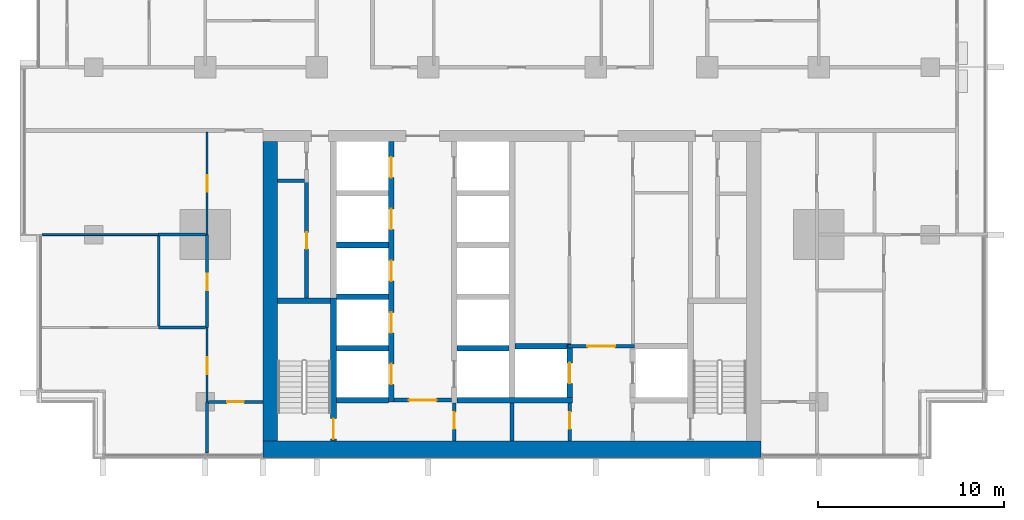
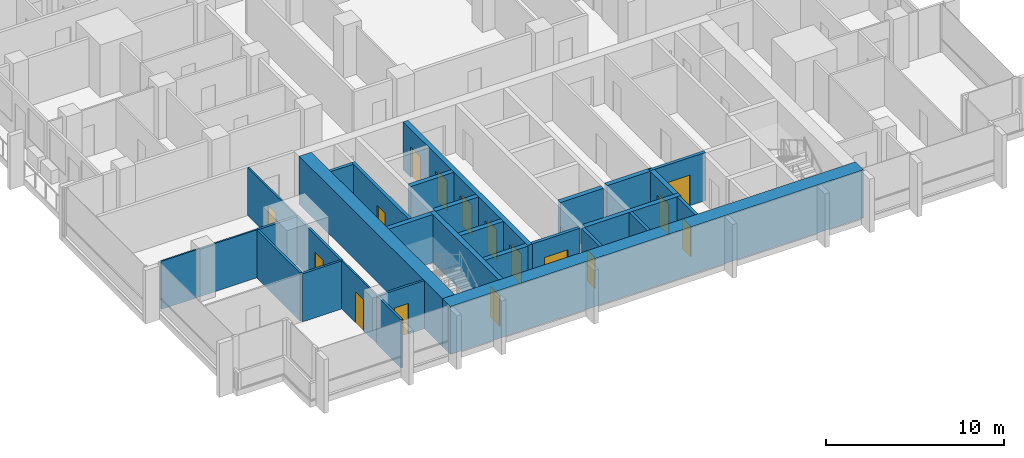
# One storey, part 7 of 19: 29 walls, 16 doors, 16 openings.
"""IFC4 building model written with IfcOpenShell, lengths in metres."""

from ifc_helpers import new_model, si_unit, direction, frame, frame_2d, origin, place, context, subcontext, project, spatial, rectangle, extrude, material, layer, layer_set, type_object, element, fill, save


model = new_model("IFC4")

# Units and contexts
model_context = context("Model", 3, precision=1e-05, world=origin(), true_north=direction((0.0, 1.0)))
body_context = subcontext(model_context, "Body", "Model", "MODEL_VIEW")
ifc_project = project(units=[si_unit("LENGTHUNIT", "METRE"), si_unit("AREAUNIT", "SQUARE_METRE"), si_unit("VOLUMEUNIT", "CUBIC_METRE"), si_unit("PLANEANGLEUNIT", "RADIAN"), si_unit("MASSUNIT", "GRAM", prefix="KILO")], contexts=[model_context])

# Site, building, storey
site_placement = place(None, origin())
site = spatial("IfcSite", under=ifc_project, at=site_placement, CompositionType="ELEMENT")
building_placement = place(site_placement, origin())
building = spatial("IfcBuilding", under=site, at=building_placement, Name="Finial Court Residences", CompositionType="ELEMENT")
storey_placement = place(building_placement, frame((0.0, 0.0, 81.10009765625)))
storey = spatial("IfcBuildingStorey", under=building, at=storey_placement, Name="L19", CompositionType="ELEMENT", Elevation=81.10009765625)

# Walls
ifc_material_1 = material(Name="Concrete C70/85", Category="concrete")
ifc_layer_1 = layer(ifc_material_1, 0.800048828125)
ifc_layer_set_1 = layer_set([ifc_layer_1], Name="Core outer wall 800 Concrete C70/85")
wall_type_1 = type_object("IfcWallType", Name="Core outer wall 800 Concrete C70/85", PredefinedType="SHEAR", material=ifc_layer_set_1)
wall_1_placement = place(storey_placement, frame((-13.0, -24.60009765625, 0.0), z_axis=(0.0, 0.0, 1.0), x_axis=(0.0, 1.0, 0.0)))
element("IfcWall", 1, at=wall_1_placement, inside=storey, type_object=wall_type_1, Name="Core outer wall L19-03", PredefinedType="SHEAR", context=body_context, shape_type="SweptSolid", body=[
    extrude(rectangle(XDim=16.10009765625, YDim=0.800048828125, at=frame_2d((8.050048828125, 0.0))), origin(), (0.0, 0.0, 1.0), 3.2998046875),
])
ifc_layer_2 = layer(ifc_material_1, 0.89990234375)
ifc_layer_set_2 = layer_set([ifc_layer_2], Name="Core south facade wall 900 Concrete C70/85")
wall_type_2 = type_object("IfcWallType", Name="Core south facade wall 900 Concrete C70/85", PredefinedType="SHEAR", material=ifc_layer_set_2)
wall_2_placement = place(storey_placement, frame((-13.39990234375, -25.050048828125, 0.0), z_axis=(0.0, 0.0, 1.0), x_axis=(1.0, 0.0, 0.0)))
element("IfcWall", 2, at=wall_2_placement, inside=storey, type_object=wall_type_2, Name="Core outer wall L19-01", PredefinedType="SHEAR", context=body_context, shape_type="SweptSolid", body=[
    extrude(rectangle(XDim=26.7998046875, YDim=0.89990234375, at=frame_2d((13.39990234375, 0.0))), origin(), (0.0, 0.0, 1.0), 3.2998046875),
])

# Wall, opening, door
ifc_material_2 = material(Name="Fire-rated gypsum board partition")
ifc_layer_3 = layer(ifc_material_2, 0.199951171875)
ifc_layer_set_3 = layer_set([ifc_layer_3], Name="Firefighting lobby wall 200 EI 120")
wall_type_3 = type_object("IfcWallType", Name="Firefighting lobby wall 200 EI 120", PredefinedType="PARTITIONING", material=ifc_layer_set_3)
wall_3_placement = place(storey_placement, frame((6.574951171875, -19.5, 0.0), z_axis=(0.0, 0.0, 1.0), x_axis=(-1.0, 0.0, 0.0)))
wall_3 = element("IfcWall", 3, at=wall_3_placement, inside=storey, type_object=wall_type_3, Name="Core partition L19-08", PredefinedType="PARTITIONING", context=body_context, shape_type="SweptSolid", body=[
    extrude(rectangle(XDim=3.550048828125, YDim=0.199951171875, at=frame_2d((1.77490234375, 0.0))), origin(), (0.0, 0.0, 1.0), 3.2998046875),
])
opening_1_placement = place(wall_3_placement, frame((1.02490234375, 0.0, 0.0)))
opening_1 = element("IfcOpeningElement", 4, at=opening_1_placement, cuts=wall_3, Name="Opening L19-C02", PredefinedType="OPENING", context=body_context, shape_type="SweptSolid", body=[
    extrude(rectangle(XDim=1.5, YDim=2.10009765625, at=frame_2d((0.75, 1.050048828125))), frame((0.0, 0.10986328125, 0.0), z_axis=(0.0, -1.0, 0.0), x_axis=(1.0, 0.0, 0.0)), (0.0, 0.0, 1.0), 0.219970703125),
])
ifc_material_3 = material(Name="Steel fire door", Category="steel")
door_type_1 = type_object("IfcDoorType", Name="Firefighting lobby door 1500 x 2100 EI 90", OperationType="DOUBLE_DOOR_SINGLE_SWING", PredefinedType="DOOR", material=ifc_material_3)
door_1_placement = place(opening_1_placement, origin())
door_1 = element("IfcDoor", 5, at=door_1_placement, inside=storey, type_object=door_type_1, Name="Firefighting lobby door L19-C02", OperationType="DOUBLE_DOOR_SINGLE_SWING", OverallHeight=2.10009765625, OverallWidth=1.5, PredefinedType="DOOR", context=body_context, shape_type="SweptSolid", body=[
    extrude(rectangle(XDim=1.5, YDim=2.10009765625, at=frame_2d((0.75, 1.050048828125))), frame((0.0, 0.02490234375, 0.0), z_axis=(0.0, -1.0, 0.0), x_axis=(1.0, 0.0, 0.0)), (0.0, 0.0, 1.0), 0.050048828125),
])
fill(opening_1, door_1)

wall_4_placement = place(storey_placement, frame((3.10009765625, -24.60009765625, 0.0), z_axis=(0.0, 0.0, 1.0), x_axis=(0.0, 1.0, 0.0)))
wall_4 = element("IfcWall", 6, at=wall_4_placement, inside=storey, type_object=wall_type_3, Name="Core partition L19-30", PredefinedType="PARTITIONING", context=body_context, shape_type="SweptSolid", body=[
    extrude(rectangle(XDim=2.050048828125, YDim=0.199951171875, at=frame_2d((1.02490234375, 0.0))), origin(), (0.0, 0.0, 1.0), 3.2998046875),
])
opening_2_placement = place(wall_4_placement, frame((0.64990234375, 0.0, 0.0)))
opening_2 = element("IfcOpeningElement", 7, at=opening_2_placement, cuts=wall_4, Name="Opening L19-C06", PredefinedType="OPENING", context=body_context, shape_type="SweptSolid", body=[
    extrude(rectangle(XDim=0.89990234375, YDim=2.10009765625, at=frame_2d((0.449951171875, 1.050048828125))), frame((0.0, 0.10986328125, 0.0), z_axis=(0.0, -1.0, 0.0), x_axis=(1.0, 0.0, 0.0)), (0.0, 0.0, 1.0), 0.219970703125),
])
door_type_2 = type_object("IfcDoorType", Name="Riser room door 900 x 2100 EI 90", OperationType="NOTDEFINED", PredefinedType="DOOR", material=ifc_material_3)
door_2_placement = place(opening_2_placement, origin())
door_2 = element("IfcDoor", 8, at=door_2_placement, inside=storey, type_object=door_type_2, Name="Riser room door L19-C06", OperationType="SINGLE_SWING_LEFT", OverallHeight=2.10009765625, OverallWidth=0.89990234375, PredefinedType="DOOR", context=body_context, shape_type="SweptSolid", body=[
    extrude(rectangle(XDim=0.89990234375, YDim=2.10009765625, at=frame_2d((0.449951171875, 1.050048828125))), frame((0.0, 0.02490234375, 0.0), z_axis=(0.0, -1.0, 0.0), x_axis=(1.0, 0.0, 0.0)), (0.0, 0.0, 1.0), 0.050048828125),
])
fill(opening_2, door_2)

# Wall
ifc_material_4 = material(Name="Gypsum board")
ifc_layer_4 = layer(ifc_material_4, 0.012451171875)
ifc_material_5 = material(Name="Mineral wool in light-gauge frame")
ifc_layer_5 = layer(ifc_material_5, 0.074951171875)
ifc_layer_6 = layer(ifc_material_4, 0.012451171875)
ifc_layer_set_4 = layer_set([ifc_layer_4, ifc_layer_5, ifc_layer_6], Name="Gypsum board partition 100")
wall_type_4 = type_object("IfcWallType", Name="Gypsum board partition 100", PredefinedType="PARTITIONING", material=ifc_layer_set_4)
wall_5_placement = place(storey_placement, frame((-25.25, -13.5, 0.0), z_axis=(0.0, 0.0, 1.0), x_axis=(1.0, 0.0, 0.0)))
element("IfcWall", 9, at=wall_5_placement, inside=storey, type_object=wall_type_4, Name="Partition L19-005", PredefinedType="PARTITIONING", context=body_context, shape_type="SweptSolid", body=[
    extrude(rectangle(XDim=6.25, YDim=0.10009765625, at=frame_2d((3.125, 0.0))), origin(), (0.0, 0.0, 1.0), 3.2998046875),
])

# Wall, opening, door
wall_6_placement = place(storey_placement, frame((-16.39990234375, -22.5, 0.0), z_axis=(0.0, 0.0, 1.0), x_axis=(0.0, 1.0, 0.0)))
wall_6 = element("IfcWall", 10, at=wall_6_placement, inside=storey, type_object=wall_type_4, Name="Partition L19-049", PredefinedType="PARTITIONING", context=body_context, shape_type="SweptSolid", body=[
    extrude(rectangle(XDim=4.0, YDim=0.10009765625, at=frame_2d((2.0, 0.0))), origin(), (0.0, 0.0, 1.0), 3.2998046875),
])
opening_3_placement = place(wall_6_placement, frame((1.5, 0.0, 0.0)))
opening_3 = element("IfcOpeningElement", 11, at=opening_3_placement, cuts=wall_6, Name="Opening L19-D037", PredefinedType="OPENING", context=body_context, shape_type="SweptSolid", body=[
    extrude(rectangle(XDim=0.89990234375, YDim=2.10009765625, at=frame_2d((0.449951171875, 1.050048828125))), frame((0.0, 0.06005859375, 0.0), z_axis=(0.0, -1.0, 0.0), x_axis=(1.0, 0.0, 0.0)), (0.0, 0.0, 1.0), 0.1201171875),
])
ifc_material_6 = material(Name="Timber door leaf in timber frame", Category="wood")
door_type_3 = type_object("IfcDoorType", Name="Door set 900 x 2100", OperationType="SINGLE_SWING_LEFT", PredefinedType="DOOR", material=ifc_material_6)
door_3_placement = place(opening_3_placement, origin())
door_3 = element("IfcDoor", 12, at=door_3_placement, inside=storey, type_object=door_type_3, Name="Door L19-D037", OperationType="SINGLE_SWING_LEFT", OverallHeight=2.10009765625, OverallWidth=0.89990234375, PredefinedType="DOOR", context=body_context, shape_type="SweptSolid", body=[
    extrude(rectangle(XDim=0.89990234375, YDim=2.10009765625, at=frame_2d((0.449951171875, 1.050048828125))), frame((0.0, 0.02490234375, 0.0), z_axis=(0.0, -1.0, 0.0), x_axis=(1.0, 0.0, 0.0)), (0.0, 0.0, 1.0), 0.050048828125),
])
fill(opening_3, door_3)

wall_7_placement = place(storey_placement, frame((-16.39990234375, -13.5, 0.0), z_axis=(0.0, 0.0, 1.0), x_axis=(0.0, 1.0, 0.0)))
wall_7 = element("IfcWall", 13, at=wall_7_placement, inside=storey, type_object=wall_type_4, Name="Partition L19-050", PredefinedType="PARTITIONING", context=body_context, shape_type="SweptSolid", body=[
    extrude(rectangle(XDim=5.5, YDim=0.10009765625, at=frame_2d((2.75, 0.0))), origin(), (0.0, 0.0, 1.0), 3.2998046875),
])
opening_4_placement = place(wall_7_placement, frame((2.300048828125, 0.0, 0.0)))
opening_4 = element("IfcOpeningElement", 14, at=opening_4_placement, cuts=wall_7, Name="Opening L19-D038", PredefinedType="OPENING", context=body_context, shape_type="SweptSolid", body=[
    extrude(rectangle(XDim=0.89990234375, YDim=2.10009765625, at=frame_2d((0.449951171875, 1.050048828125))), frame((0.0, 0.06005859375, 0.0), z_axis=(0.0, -1.0, 0.0), x_axis=(1.0, 0.0, 0.0)), (0.0, 0.0, 1.0), 0.1201171875),
])
door_4_placement = place(opening_4_placement, origin())
door_4 = element("IfcDoor", 15, at=door_4_placement, inside=storey, type_object=door_type_3, Name="Door L19-D038", OperationType="SINGLE_SWING_LEFT", OverallHeight=2.10009765625, OverallWidth=0.89990234375, PredefinedType="DOOR", context=body_context, shape_type="SweptSolid", body=[
    extrude(rectangle(XDim=0.89990234375, YDim=2.10009765625, at=frame_2d((0.449951171875, 1.050048828125))), frame((0.0, 0.02490234375, 0.0), z_axis=(0.0, -1.0, 0.0), x_axis=(1.0, 0.0, 0.0)), (0.0, 0.0, 1.0), 0.050048828125),
])
fill(opening_4, door_4)

ifc_material_7 = material(Name="Moisture-resistant gypsum board")
ifc_layer_7 = layer(ifc_material_7, 0.012451171875)
ifc_layer_8 = layer(ifc_material_5, 0.125)
ifc_layer_9 = layer(ifc_material_7, 0.012451171875)
ifc_layer_set_5 = layer_set([ifc_layer_7, ifc_layer_8, ifc_layer_9], Name="Gypsum board wet-area partition 150")
wall_type_5 = type_object("IfcWallType", Name="Gypsum board wet-area partition 150", PredefinedType="PARTITIONING", material=ifc_layer_set_5)
wall_8_placement = place(storey_placement, frame((-16.324951171875, -22.5, 0.0), z_axis=(0.0, 0.0, 1.0), x_axis=(1.0, 0.0, 0.0)))
wall_8 = element("IfcWall", 16, at=wall_8_placement, inside=storey, type_object=wall_type_5, Name="Partition L19-000", PredefinedType="PARTITIONING", context=body_context, shape_type="SweptSolid", body=[
    extrude(rectangle(XDim=2.925048828125, YDim=0.14990234375, at=frame_2d((1.46240234375, 0.0))), origin(), (0.0, 0.0, 1.0), 3.2998046875),
])
opening_5_placement = place(wall_8_placement, frame((1.0, 0.0, 0.0)))
opening_5 = element("IfcOpeningElement", 17, at=opening_5_placement, cuts=wall_8, Name="Opening L19-D001", PredefinedType="OPENING", context=body_context, shape_type="SweptSolid", body=[
    extrude(rectangle(XDim=0.89990234375, YDim=2.10009765625, at=frame_2d((0.449951171875, 1.050048828125))), frame((0.0, 0.0849609375, 0.0), z_axis=(0.0, -1.0, 0.0), x_axis=(1.0, 0.0, 0.0)), (0.0, 0.0, 1.0), 0.169921875),
])
door_5_placement = place(opening_5_placement, origin())
door_5 = element("IfcDoor", 18, at=door_5_placement, inside=storey, type_object=door_type_3, Name="Door L19-D001", OperationType="SINGLE_SWING_LEFT", OverallHeight=2.10009765625, OverallWidth=0.89990234375, PredefinedType="DOOR", context=body_context, shape_type="SweptSolid", body=[
    extrude(rectangle(XDim=0.89990234375, YDim=2.10009765625, at=frame_2d((0.449951171875, 1.050048828125))), frame((0.0, 0.02490234375, 0.0), z_axis=(0.0, -1.0, 0.0), x_axis=(1.0, 0.0, 0.0)), (0.0, 0.0, 1.0), 0.050048828125),
])
fill(opening_5, door_5)

# Walls
for number, where, z_axis, x_axis, name in (
    (19, (-19.0, -18.5, 0.0), (0.0, 0.0, 1.0), (1.0, 0.0, 0.0), "Partition L19-003"),
    (20, (-19.0, -13.5, 0.0), (0.0, 0.0, 1.0), (1.0, 0.0, 0.0), "Partition L19-007"),
):
    element("IfcWall", number, at=place(storey_placement, frame(where, z_axis=z_axis, x_axis=x_axis)), inside=storey, type_object=wall_type_5, Name=name, PredefinedType="PARTITIONING", context=body_context, shape_type="SweptSolid", body=[
        extrude(rectangle(XDim=2.52490234375, YDim=0.14990234375, at=frame_2d((1.262451171875, 0.0))), origin(), (0.0, 0.0, 1.0), 3.2998046875),
    ])
wall_9_placement = place(storey_placement, frame((-19.0, -18.425048828125, 0.0), z_axis=(0.0, 0.0, 1.0), x_axis=(0.0, 1.0, 0.0)))
element("IfcWall", 21, at=wall_9_placement, inside=storey, type_object=wall_type_5, Name="Partition L19-042", PredefinedType="PARTITIONING", context=body_context, shape_type="SweptSolid", body=[
    extrude(rectangle(XDim=4.85009765625, YDim=0.14990234375, at=frame_2d((2.425048828125, 0.0))), origin(), (0.0, 0.0, 1.0), 3.2998046875),
])
wall_10_placement = place(storey_placement, frame((-16.39990234375, -25.25, 0.0), z_axis=(0.0, 0.0, 1.0), x_axis=(0.0, 1.0, 0.0)))
element("IfcWall", 22, at=wall_10_placement, inside=storey, type_object=wall_type_5, Name="Partition L19-051", PredefinedType="PARTITIONING", context=body_context, shape_type="SweptSolid", body=[
    extrude(rectangle(XDim=2.75, YDim=0.14990234375, at=frame_2d((1.375, 0.0))), origin(), (0.0, 0.0, 1.0), 3.2998046875),
])

# Wall, opening, door
wall_11_placement = place(storey_placement, frame((-16.39990234375, -18.5, 0.0), z_axis=(0.0, 0.0, 1.0), x_axis=(0.0, 1.0, 0.0)))
wall_11 = element("IfcWall", 23, at=wall_11_placement, inside=storey, type_object=wall_type_5, Name="Partition L19-052", PredefinedType="PARTITIONING", context=body_context, shape_type="SweptSolid", body=[
    extrude(rectangle(XDim=5.0, YDim=0.14990234375, at=frame_2d((2.5, 0.0))), origin(), (0.0, 0.0, 1.0), 3.2998046875),
])
opening_6_placement = place(wall_11_placement, frame((2.0, 0.0, 0.0)))
opening_6 = element("IfcOpeningElement", 24, at=opening_6_placement, cuts=wall_11, Name="Opening L19-D039", PredefinedType="OPENING", context=body_context, shape_type="SweptSolid", body=[
    extrude(rectangle(XDim=0.89990234375, YDim=2.10009765625, at=frame_2d((0.449951171875, 1.050048828125))), frame((0.0, 0.0849609375, 0.0), z_axis=(0.0, -1.0, 0.0), x_axis=(1.0, 0.0, 0.0)), (0.0, 0.0, 1.0), 0.169921875),
])
door_6_placement = place(opening_6_placement, origin())
door_6 = element("IfcDoor", 25, at=door_6_placement, inside=storey, type_object=door_type_3, Name="Door L19-D039", OperationType="SINGLE_SWING_LEFT", OverallHeight=2.10009765625, OverallWidth=0.89990234375, PredefinedType="DOOR", context=body_context, shape_type="SweptSolid", body=[
    extrude(rectangle(XDim=0.89990234375, YDim=2.10009765625, at=frame_2d((0.449951171875, 1.050048828125))), frame((0.0, 0.02490234375, 0.0), z_axis=(0.0, -1.0, 0.0), x_axis=(1.0, 0.0, 0.0)), (0.0, 0.0, 1.0), 0.050048828125),
])
fill(opening_6, door_6)

# Walls
ifc_layer_10 = layer(ifc_material_1, 0.300048828125)
ifc_layer_set_6 = layer_set([ifc_layer_10], Name="Lift shaft and stair wall 300 Concrete C70/85")
wall_type_6 = type_object("IfcWallType", Name="Lift shaft and stair wall 300 Concrete C70/85", PredefinedType="SHEAR", material=ifc_layer_set_6)
wall_12_placement = place(storey_placement, frame((-9.449951171875, -22.39990234375, 0.0), z_axis=(0.0, 0.0, 1.0), x_axis=(1.0, 0.0, 0.0)))
element("IfcWall", 26, at=wall_12_placement, inside=storey, type_object=wall_type_6, Name="Core wall L19-01", PredefinedType="SHEAR", context=body_context, shape_type="SweptSolid", body=[
    extrude(rectangle(XDim=2.800048828125, YDim=0.300048828125, at=frame_2d((1.39990234375, 0.0))), origin(), (0.0, 0.0, 1.0), 3.2998046875),
])
wall_13_placement = place(storey_placement, frame((-2.949951171875, -22.39990234375, 0.0), z_axis=(0.0, 0.0, 1.0), x_axis=(1.0, 0.0, 0.0)))
element("IfcWall", 27, at=wall_13_placement, inside=storey, type_object=wall_type_6, Name="Core wall L19-03", PredefinedType="SHEAR", context=body_context, shape_type="SweptSolid", body=[
    extrude(rectangle(XDim=6.199951171875, YDim=0.300048828125, at=frame_2d((3.10009765625, 0.0))), origin(), (0.0, 0.0, 1.0), 3.2998046875),
])
for number, where, z_axis, x_axis, name in (
    (28, (-9.449951171875, -19.6201171875, 0.0), (0.0, 0.0, 1.0), (1.0, 0.0, 0.0), "Core wall L19-05"),
    (29, (-2.949951171875, -19.6201171875, 0.0), (0.0, 0.0, 1.0), (1.0, 0.0, 0.0), "Core wall L19-06"),
):
    element("IfcWall", number, at=place(storey_placement, frame(where, z_axis=z_axis, x_axis=x_axis)), inside=storey, type_object=wall_type_6, Name=name, PredefinedType="SHEAR", context=body_context, shape_type="SweptSolid", body=[
        extrude(rectangle(XDim=2.800048828125, YDim=0.300048828125, at=frame_2d((1.39990234375, 0.0))), origin(), (0.0, 0.0, 1.0), 3.2998046875),
    ])
wall_14_placement = place(storey_placement, frame((0.14990234375, -19.5, 0.0), z_axis=(0.0, 0.0, 1.0), x_axis=(1.0, 0.0, 0.0)))
element("IfcWall", 30, at=wall_14_placement, inside=storey, type_object=wall_type_6, Name="Core wall L19-07", PredefinedType="SHEAR", context=body_context, shape_type="SweptSolid", body=[
    extrude(rectangle(XDim=3.025146484375, YDim=0.300048828125, at=frame_2d((1.5126953125, 0.0))), origin(), (0.0, 0.0, 1.0), 3.2998046875),
])
wall_15_placement = place(storey_placement, frame((-12.60009765625, -17.050048828125, 0.0), z_axis=(0.0, 0.0, 1.0), x_axis=(1.0, 0.0, 0.0)))
element("IfcWall", 31, at=wall_15_placement, inside=storey, type_object=wall_type_6, Name="Core wall L19-10", PredefinedType="SHEAR", context=body_context, shape_type="SweptSolid", body=[
    extrude(rectangle(XDim=2.85009765625, YDim=0.300048828125, at=frame_2d((1.425048828125, 0.0))), origin(), (0.0, 0.0, 1.0), 3.2998046875),
])
for number, where, z_axis, x_axis, name in (
    (32, (-9.449951171875, -16.840087890625, 0.0), (0.0, 0.0, 1.0), (1.0, 0.0, 0.0), "Core wall L19-12"),
    (33, (-9.449951171875, -14.06005859375, 0.0), (0.0, 0.0, 1.0), (1.0, 0.0, 0.0), "Core wall L19-14"),
):
    element("IfcWall", number, at=place(storey_placement, frame(where, z_axis=z_axis, x_axis=x_axis)), inside=storey, type_object=wall_type_6, Name=name, PredefinedType="SHEAR", context=body_context, shape_type="SweptSolid", body=[
        extrude(rectangle(XDim=2.800048828125, YDim=0.300048828125, at=frame_2d((1.39990234375, 0.0))), origin(), (0.0, 0.0, 1.0), 3.2998046875),
    ])

# Wall, opening, door
wall_16_placement = place(storey_placement, frame((-9.60009765625, -24.60009765625, 0.0), z_axis=(0.0, 0.0, 1.0), x_axis=(0.0, 1.0, 0.0)))
wall_16 = element("IfcWall", 34, at=wall_16_placement, inside=storey, type_object=wall_type_6, Name="Core wall L19-23", PredefinedType="SHEAR", context=body_context, shape_type="SweptSolid", body=[
    extrude(rectangle(XDim=7.7001953125, YDim=0.300048828125, at=frame_2d((3.85009765625, 0.0))), origin(), (0.0, 0.0, 1.0), 3.2998046875),
])
opening_7_placement = place(wall_16_placement, frame((0.10009765625, 0.0, 0.0)))
opening_7 = element("IfcOpeningElement", 35, at=opening_7_placement, cuts=wall_16, Name="Opening L19-C17", PredefinedType="OPENING", context=body_context, shape_type="SweptSolid", body=[
    extrude(rectangle(XDim=1.10009765625, YDim=2.10009765625, at=frame_2d((0.550048828125, 1.050048828125))), frame((0.0, 0.159912109375, 0.0), z_axis=(0.0, -1.0, 0.0), x_axis=(1.0, 0.0, 0.0)), (0.0, 0.0, 1.0), 0.320068359375),
])
door_type_4 = type_object("IfcDoorType", Name="Stair door 1100 x 2100 EI 90", OperationType="NOTDEFINED", PredefinedType="DOOR", material=ifc_material_3)
door_7_placement = place(opening_7_placement, origin())
door_7 = element("IfcDoor", 36, at=door_7_placement, inside=storey, type_object=door_type_4, Name="Stair door L19-C17", OperationType="SINGLE_SWING_LEFT", OverallHeight=2.10009765625, OverallWidth=1.10009765625, PredefinedType="DOOR", context=body_context, shape_type="SweptSolid", body=[
    extrude(rectangle(XDim=1.10009765625, YDim=2.10009765625, at=frame_2d((0.550048828125, 1.050048828125))), frame((0.0, 0.02490234375, 0.0), z_axis=(0.0, -1.0, 0.0), x_axis=(1.0, 0.0, 0.0)), (0.0, 0.0, 1.0), 0.050048828125),
])
fill(opening_7, door_7)

# Wall, openings, doors
wall_17_placement = place(storey_placement, frame((-6.5, -22.5, 0.0), z_axis=(0.0, 0.0, 1.0), x_axis=(0.0, 1.0, 0.0)))
wall_17 = element("IfcWall", 37, at=wall_17_placement, inside=storey, type_object=wall_type_6, Name="Core wall L19-25", PredefinedType="SHEAR", context=body_context, shape_type="SweptSolid", body=[
    extrude(rectangle(XDim=14.0, YDim=0.300048828125, at=frame_2d((7.0, 0.0))), origin(), (0.0, 0.0, 1.0), 3.2998046875),
])
opening_8_placement = place(wall_17_placement, frame((0.93994140625, 0.0, 0.0)))
opening_8 = element("IfcOpeningElement", 38, at=opening_8_placement, cuts=wall_17, Name="Opening L19-LD03", PredefinedType="OPENING", context=body_context, shape_type="SweptSolid", body=[
    extrude(rectangle(XDim=1.10009765625, YDim=2.10009765625, at=frame_2d((0.550048828125, 1.050048828125))), frame((0.0, 0.159912109375, 0.0), z_axis=(0.0, -1.0, 0.0), x_axis=(1.0, 0.0, 0.0)), (0.0, 0.0, 1.0), 0.320068359375),
])
opening_9_placement = place(wall_17_placement, frame((3.719970703125, 0.0, 0.0)))
opening_9 = element("IfcOpeningElement", 39, at=opening_9_placement, cuts=wall_17, Name="Opening L19-LD04", PredefinedType="OPENING", context=body_context, shape_type="SweptSolid", body=[
    extrude(rectangle(XDim=1.10009765625, YDim=2.10009765625, at=frame_2d((0.550048828125, 1.050048828125))), frame((0.0, 0.159912109375, 0.0), z_axis=(0.0, -1.0, 0.0), x_axis=(1.0, 0.0, 0.0)), (0.0, 0.0, 1.0), 0.320068359375),
])
opening_10_placement = place(wall_17_placement, frame((6.5, 0.0, 0.0)))
opening_10 = element("IfcOpeningElement", 40, at=opening_10_placement, cuts=wall_17, Name="Opening L19-LD05", PredefinedType="OPENING", context=body_context, shape_type="SweptSolid", body=[
    extrude(rectangle(XDim=1.10009765625, YDim=2.10009765625, at=frame_2d((0.550048828125, 1.050048828125))), frame((0.0, 0.159912109375, 0.0), z_axis=(0.0, -1.0, 0.0), x_axis=(1.0, 0.0, 0.0)), (0.0, 0.0, 1.0), 0.320068359375),
])
opening_11_placement = place(wall_17_placement, frame((9.280029296875, 0.0, 0.0)))
opening_11 = element("IfcOpeningElement", 41, at=opening_11_placement, cuts=wall_17, Name="Opening L19-LD06", PredefinedType="OPENING", context=body_context, shape_type="SweptSolid", body=[
    extrude(rectangle(XDim=1.10009765625, YDim=2.10009765625, at=frame_2d((0.550048828125, 1.050048828125))), frame((0.0, 0.159912109375, 0.0), z_axis=(0.0, -1.0, 0.0), x_axis=(1.0, 0.0, 0.0)), (0.0, 0.0, 1.0), 0.320068359375),
])
opening_12_placement = place(wall_17_placement, frame((12.06005859375, 0.0, 0.0)))
opening_12 = element("IfcOpeningElement", 42, at=opening_12_placement, cuts=wall_17, Name="Opening L19-LD07", PredefinedType="OPENING", context=body_context, shape_type="SweptSolid", body=[
    extrude(rectangle(XDim=1.10009765625, YDim=2.10009765625, at=frame_2d((0.550048828125, 1.050048828125))), frame((0.0, 0.159912109375, 0.0), z_axis=(0.0, -1.0, 0.0), x_axis=(1.0, 0.0, 0.0)), (0.0, 0.0, 1.0), 0.320068359375),
])
ifc_material_8 = material(Name="Stainless steel lift door", Category="steel")
door_type_5 = type_object("IfcDoorType", Name="Lift landing door 1100 x 2100 EI 90", OperationType="DOUBLE_DOOR_SLIDING", PredefinedType="DOOR", material=ifc_material_8)
door_8_placement = place(opening_8_placement, origin())
door_8 = element("IfcDoor", 43, at=door_8_placement, inside=storey, type_object=door_type_5, Name="Lift landing door LR1 L19", OperationType="DOUBLE_DOOR_SLIDING", OverallHeight=2.10009765625, OverallWidth=1.10009765625, PredefinedType="DOOR", context=body_context, shape_type="SweptSolid", body=[
    extrude(rectangle(XDim=1.10009765625, YDim=2.10009765625, at=frame_2d((0.550048828125, 1.050048828125))), frame((0.0, 0.02490234375, 0.0), z_axis=(0.0, -1.0, 0.0), x_axis=(1.0, 0.0, 0.0)), (0.0, 0.0, 1.0), 0.050048828125),
])
fill(opening_8, door_8)
door_9_placement = place(opening_9_placement, origin())
door_9 = element("IfcDoor", 44, at=door_9_placement, inside=storey, type_object=door_type_5, Name="Lift landing door LR2 L19", OperationType="DOUBLE_DOOR_SLIDING", OverallHeight=2.10009765625, OverallWidth=1.10009765625, PredefinedType="DOOR", context=body_context, shape_type="SweptSolid", body=[
    extrude(rectangle(XDim=1.10009765625, YDim=2.10009765625, at=frame_2d((0.550048828125, 1.050048828125))), frame((0.0, 0.02490234375, 0.0), z_axis=(0.0, -1.0, 0.0), x_axis=(1.0, 0.0, 0.0)), (0.0, 0.0, 1.0), 0.050048828125),
])
fill(opening_9, door_9)
door_10_placement = place(opening_10_placement, origin())
door_10 = element("IfcDoor", 45, at=door_10_placement, inside=storey, type_object=door_type_5, Name="Lift landing door LR3 L19", OperationType="DOUBLE_DOOR_SLIDING", OverallHeight=2.10009765625, OverallWidth=1.10009765625, PredefinedType="DOOR", context=body_context, shape_type="SweptSolid", body=[
    extrude(rectangle(XDim=1.10009765625, YDim=2.10009765625, at=frame_2d((0.550048828125, 1.050048828125))), frame((0.0, 0.02490234375, 0.0), z_axis=(0.0, -1.0, 0.0), x_axis=(1.0, 0.0, 0.0)), (0.0, 0.0, 1.0), 0.050048828125),
])
fill(opening_10, door_10)
door_11_placement = place(opening_11_placement, origin())
door_11 = element("IfcDoor", 46, at=door_11_placement, inside=storey, type_object=door_type_5, Name="Lift landing door LR4 L19", OperationType="DOUBLE_DOOR_SLIDING", OverallHeight=2.10009765625, OverallWidth=1.10009765625, PredefinedType="DOOR", context=body_context, shape_type="SweptSolid", body=[
    extrude(rectangle(XDim=1.10009765625, YDim=2.10009765625, at=frame_2d((0.550048828125, 1.050048828125))), frame((0.0, 0.02490234375, 0.0), z_axis=(0.0, -1.0, 0.0), x_axis=(1.0, 0.0, 0.0)), (0.0, 0.0, 1.0), 0.050048828125),
])
fill(opening_11, door_11)
door_12_placement = place(opening_12_placement, origin())
door_12 = element("IfcDoor", 47, at=door_12_placement, inside=storey, type_object=door_type_5, Name="Lift landing door LR5 L19", OperationType="DOUBLE_DOOR_SLIDING", OverallHeight=2.10009765625, OverallWidth=1.10009765625, PredefinedType="DOOR", context=body_context, shape_type="SweptSolid", body=[
    extrude(rectangle(XDim=1.10009765625, YDim=2.10009765625, at=frame_2d((0.550048828125, 1.050048828125))), frame((0.0, 0.02490234375, 0.0), z_axis=(0.0, -1.0, 0.0), x_axis=(1.0, 0.0, 0.0)), (0.0, 0.0, 1.0), 0.050048828125),
])
fill(opening_12, door_12)

# Wall, opening, door
wall_18_placement = place(storey_placement, frame((3.10009765625, -22.25, 0.0), z_axis=(0.0, 0.0, 1.0), x_axis=(0.0, 1.0, 0.0)))
wall_18 = element("IfcWall", 48, at=wall_18_placement, inside=storey, type_object=wall_type_6, Name="Core wall L19-31", PredefinedType="SHEAR", context=body_context, shape_type="SweptSolid", body=[
    extrude(rectangle(XDim=2.85009765625, YDim=0.300048828125, at=frame_2d((1.425048828125, 0.0))), origin(), (0.0, 0.0, 1.0), 3.2998046875),
])
opening_13_placement = place(wall_18_placement, frame((0.75, 0.0, 0.0)))
opening_13 = element("IfcOpeningElement", 49, at=opening_13_placement, cuts=wall_18, Name="Opening L19-LD01", PredefinedType="OPENING", context=body_context, shape_type="SweptSolid", body=[
    extrude(rectangle(XDim=1.10009765625, YDim=2.10009765625, at=frame_2d((0.550048828125, 1.050048828125))), frame((0.0, 0.159912109375, 0.0), z_axis=(0.0, -1.0, 0.0), x_axis=(1.0, 0.0, 0.0)), (0.0, 0.0, 1.0), 0.320068359375),
])
door_13_placement = place(opening_13_placement, origin())
door_13 = element("IfcDoor", 50, at=door_13_placement, inside=storey, type_object=door_type_5, Name="Lift landing door FF1 L19", OperationType="DOUBLE_DOOR_SLIDING", OverallHeight=2.10009765625, OverallWidth=1.10009765625, PredefinedType="DOOR", context=body_context, shape_type="SweptSolid", body=[
    extrude(rectangle(XDim=1.10009765625, YDim=2.10009765625, at=frame_2d((0.550048828125, 1.050048828125))), frame((0.0, 0.02490234375, 0.0), z_axis=(0.0, -1.0, 0.0), x_axis=(1.0, 0.0, 0.0)), (0.0, 0.0, 1.0), 0.050048828125),
])
fill(opening_13, door_13)

# Walls
ifc_layer_11 = layer(ifc_material_2, 0.199951171875)
ifc_layer_set_7 = layer_set([ifc_layer_11], Name="Riser room wall 200 EI 120")
wall_type_7 = type_object("IfcWallType", Name="Riser room wall 200 EI 120", PredefinedType="PARTITIONING", material=ifc_layer_set_7)
wall_19_placement = place(storey_placement, frame((-12.60009765625, -10.60009765625, 0.0), z_axis=(0.0, 0.0, 1.0), x_axis=(1.0, 0.0, 0.0)))
element("IfcWall", 51, at=wall_19_placement, inside=storey, type_object=wall_type_7, Name="Core partition L19-20", PredefinedType="PARTITIONING", context=body_context, shape_type="SweptSolid", body=[
    extrude(rectangle(XDim=1.4501953125, YDim=0.199951171875, at=frame_2d((0.72509765625, 0.0))), origin(), (0.0, 0.0, 1.0), 3.2998046875),
])
wall_20_placement = place(storey_placement, frame((0.0, -24.60009765625, 0.0), z_axis=(0.0, 0.0, 1.0), x_axis=(0.0, 1.0, 0.0)))
element("IfcWall", 52, at=wall_20_placement, inside=storey, type_object=wall_type_7, Name="Core partition L19-28", PredefinedType="PARTITIONING", context=body_context, shape_type="SweptSolid", body=[
    extrude(rectangle(XDim=2.050048828125, YDim=0.199951171875, at=frame_2d((1.02490234375, 0.0))), origin(), (0.0, 0.0, 1.0), 3.2998046875),
])

# Wall, opening, door
ifc_layer_12 = layer(ifc_material_2, 0.199951171875)
ifc_layer_set_8 = layer_set([ifc_layer_12], Name="Stair passage wall 200 EI 180")
wall_type_8 = type_object("IfcWallType", Name="Stair passage wall 200 EI 180", PredefinedType="PARTITIONING", material=ifc_layer_set_8)
wall_21_placement = place(storey_placement, frame((-3.25, -22.39990234375, 0.0), z_axis=(0.0, 0.0, 1.0), x_axis=(-1.0, 0.0, 0.0)))
wall_21 = element("IfcWall", 53, at=wall_21_placement, inside=storey, type_object=wall_type_8, Name="Core partition L19-02", PredefinedType="PARTITIONING", context=body_context, shape_type="SweptSolid", body=[
    extrude(rectangle(XDim=3.10009765625, YDim=0.199951171875, at=frame_2d((1.550048828125, 0.0))), origin(), (0.0, 0.0, 1.0), 3.2998046875),
])
opening_14_placement = place(wall_21_placement, frame((0.800048828125, 0.0, 0.0)))
opening_14 = element("IfcOpeningElement", 54, at=opening_14_placement, cuts=wall_21, Name="Opening L19-C03", PredefinedType="OPENING", context=body_context, shape_type="SweptSolid", body=[
    extrude(rectangle(XDim=1.5, YDim=2.10009765625, at=frame_2d((0.75, 1.050048828125))), frame((0.0, 0.10986328125, 0.0), z_axis=(0.0, -1.0, 0.0), x_axis=(1.0, 0.0, 0.0)), (0.0, 0.0, 1.0), 0.219970703125),
])
door_type_6 = type_object("IfcDoorType", Name="Lift lobby door 1500 x 2100 EI 60", OperationType="DOUBLE_DOOR_SINGLE_SWING", PredefinedType="DOOR", material=ifc_material_3)
door_14_placement = place(opening_14_placement, origin())
door_14 = element("IfcDoor", 55, at=door_14_placement, inside=storey, type_object=door_type_6, Name="Lift lobby door L19-C03", OperationType="DOUBLE_DOOR_SINGLE_SWING", OverallHeight=2.10009765625, OverallWidth=1.5, PredefinedType="DOOR", context=body_context, shape_type="SweptSolid", body=[
    extrude(rectangle(XDim=1.5, YDim=2.10009765625, at=frame_2d((0.75, 1.050048828125))), frame((0.0, 0.02490234375, 0.0), z_axis=(0.0, -1.0, 0.0), x_axis=(1.0, 0.0, 0.0)), (0.0, 0.0, 1.0), 0.050048828125),
])
fill(opening_14, door_14)

wall_22_placement = place(storey_placement, frame((-11.050048828125, -16.89990234375, 0.0), z_axis=(0.0, 0.0, 1.0), x_axis=(0.0, 1.0, 0.0)))
wall_22 = element("IfcWall", 56, at=wall_22_placement, inside=storey, type_object=wall_type_8, Name="Core partition L19-21", PredefinedType="PARTITIONING", context=body_context, shape_type="SweptSolid", body=[
    extrude(rectangle(XDim=6.39990234375, YDim=0.199951171875, at=frame_2d((3.199951171875, 0.0))), origin(), (0.0, 0.0, 1.0), 3.2998046875),
])
opening_15_placement = place(wall_22_placement, frame((2.625, 0.0, 0.0)))
opening_15 = element("IfcOpeningElement", 57, at=opening_15_placement, cuts=wall_22, Name="Opening L19-C12", PredefinedType="OPENING", context=body_context, shape_type="SweptSolid", body=[
    extrude(rectangle(XDim=0.89990234375, YDim=2.10009765625, at=frame_2d((0.449951171875, 1.050048828125))), frame((0.0, 0.10986328125, 0.0), z_axis=(0.0, -1.0, 0.0), x_axis=(1.0, 0.0, 0.0)), (0.0, 0.0, 1.0), 0.219970703125),
])
door_type_7 = type_object("IfcDoorType", Name="Core room door 900 x 2100 EI 60", OperationType="NOTDEFINED", PredefinedType="DOOR", material=ifc_material_3)
door_15_placement = place(opening_15_placement, origin())
door_15 = element("IfcDoor", 58, at=door_15_placement, inside=storey, type_object=door_type_7, Name="Core room door L19-C12", OperationType="SINGLE_SWING_RIGHT", OverallHeight=2.10009765625, OverallWidth=0.89990234375, PredefinedType="DOOR", context=body_context, shape_type="SweptSolid", body=[
    extrude(rectangle(XDim=0.89990234375, YDim=2.10009765625, at=frame_2d((0.449951171875, 1.050048828125))), frame((0.0, 0.02490234375, 0.0), z_axis=(0.0, -1.0, 0.0), x_axis=(1.0, 0.0, 0.0)), (0.0, 0.0, 1.0), 0.050048828125),
])
fill(opening_15, door_15)

wall_23_placement = place(storey_placement, frame((-3.10009765625, -22.550048828125, 0.0), z_axis=(0.0, 0.0, 1.0), x_axis=(0.0, -1.0, 0.0)))
wall_23 = element("IfcWall", 59, at=wall_23_placement, inside=storey, type_object=wall_type_8, Name="Core partition L19-26", PredefinedType="PARTITIONING", context=body_context, shape_type="SweptSolid", body=[
    extrude(rectangle(XDim=2.050048828125, YDim=0.199951171875, at=frame_2d((1.02490234375, 0.0))), origin(), (0.0, 0.0, 1.0), 3.2998046875),
])
opening_16_placement = place(wall_23_placement, frame((0.5, 0.0, 0.0)))
opening_16 = element("IfcOpeningElement", 60, at=opening_16_placement, cuts=wall_23, Name="Opening L19-C11", PredefinedType="OPENING", context=body_context, shape_type="SweptSolid", body=[
    extrude(rectangle(XDim=0.89990234375, YDim=2.10009765625, at=frame_2d((0.449951171875, 1.050048828125))), frame((0.0, 0.10986328125, 0.0), z_axis=(0.0, -1.0, 0.0), x_axis=(1.0, 0.0, 0.0)), (0.0, 0.0, 1.0), 0.219970703125),
])
door_16_placement = place(opening_16_placement, origin())
door_16 = element("IfcDoor", 61, at=door_16_placement, inside=storey, type_object=door_type_7, Name="Core room door L19-C11", OperationType="SINGLE_SWING_RIGHT", OverallHeight=2.10009765625, OverallWidth=0.89990234375, PredefinedType="DOOR", context=body_context, shape_type="SweptSolid", body=[
    extrude(rectangle(XDim=0.89990234375, YDim=2.10009765625, at=frame_2d((0.449951171875, 1.050048828125))), frame((0.0, 0.02490234375, 0.0), z_axis=(0.0, -1.0, 0.0), x_axis=(1.0, 0.0, 0.0)), (0.0, 0.0, 1.0), 0.050048828125),
])
fill(opening_16, door_16)

save(model, "model.ifc")
